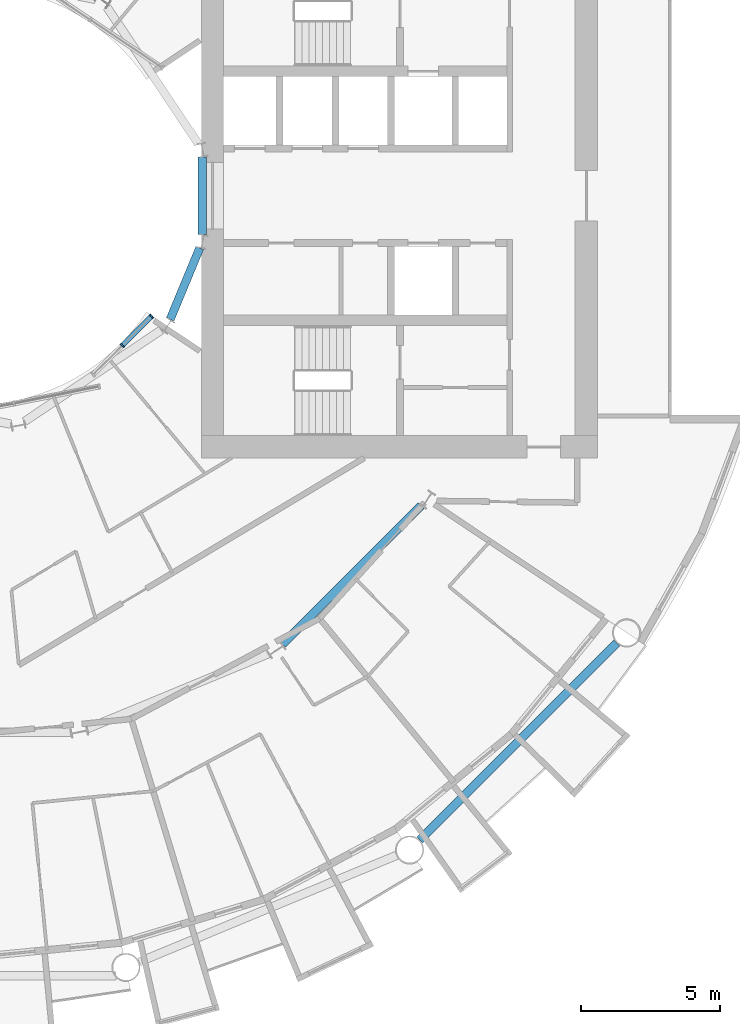
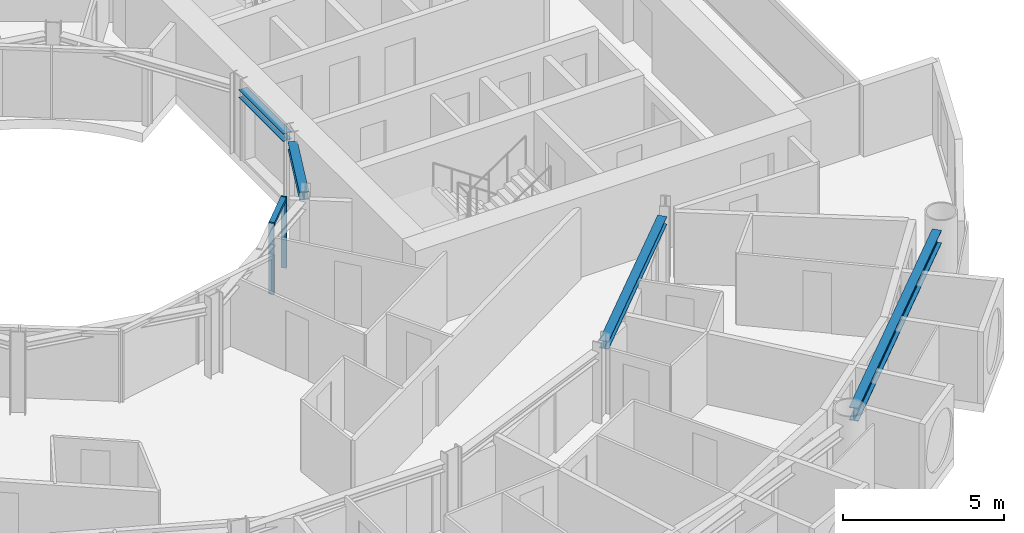
# One storey, part 6 of 26: 4 beams, 3 members, 1 element without a shape of its own.
"""IFC4 building model written with IfcOpenShell, lengths in metres."""

from ifc_helpers import new_model, si_unit, direction, frame, origin, origin_2d, place, context, subcontext, project, spatial, rectangle, i_section, extrude, material, layer, layer_set, material_profile, profile_set, type_object, element, aggregate, save


model = new_model("IFC4")

# Units and contexts
model_context = context("Model", 3, precision=1e-05, world=origin(), true_north=direction((0.0, 1.0)))
body_context = subcontext(model_context, "Body", "Model", "MODEL_VIEW")
ifc_project = project(units=[si_unit("LENGTHUNIT", "METRE"), si_unit("AREAUNIT", "SQUARE_METRE"), si_unit("VOLUMEUNIT", "CUBIC_METRE"), si_unit("PLANEANGLEUNIT", "RADIAN"), si_unit("MASSUNIT", "GRAM", prefix="KILO")], contexts=[model_context])

# Site, building, storey
site_placement = place(None, origin())
site = spatial("IfcSite", under=ifc_project, at=site_placement, CompositionType="ELEMENT")
building_placement = place(site_placement, origin())
building = spatial("IfcBuilding", under=site, at=building_placement, Name="Maasbend Ring Residences", CompositionType="ELEMENT")
storey_placement = place(building_placement, frame((0.0, 0.0, 47.199951171875)))
storey = spatial("IfcBuildingStorey", under=building, at=storey_placement, Name="L13", CompositionType="ELEMENT", Elevation=47.199951171875)

# Curtain wall, members
ifc_material_1 = material(Name="Aluminium and clear glass", Category="aluminium")
ifc_layer = layer(ifc_material_1, 0.179931640625)
ifc_layer_set = layer_set([ifc_layer], Name="CW-W")
curtain_wall_type = type_object("IfcCurtainWallType", Name="CW-W", PredefinedType="NOTDEFINED", material=ifc_layer_set)
curtain_wall_placement = place(storey_placement, origin())
curtain_wall = element("IfcCurtainWall", 1, at=curtain_wall_placement, inside=storey, type_object=curtain_wall_type, Name="Well curtain wall S3", PredefinedType="NOTDEFINED")
ifc_material_2 = material(Name="Aluminium 6063-T6", Category="aluminium")
ifc_material_profile_1 = material_profile(ifc_material_2, rectangle(XDim=0.179931640625, YDim=0.06005859375, at=origin_2d()), Name="AL 180x60")
ifc_profile_set_1 = profile_set([ifc_material_profile_1], Name="Aluminium 6063-T6")
member_type_1 = type_object("IfcMemberType", Name="CWM-W", PredefinedType="MULLION", material=ifc_profile_set_1)
member_1_placement = place(storey_placement, frame((5.366943359375, -5.366943359375, 0.0), z_axis=(0.0, 0.0, 1.0), x_axis=(-0.707106781187, 0.707106781187, 0.0)))
member_1 = element("IfcMember", 2, at=member_1_placement, type_object=member_type_1, Name="Mullion well face", PredefinedType="MULLION", context=body_context, shape_type="SweptSolid", body=[
    extrude(rectangle(XDim=0.179931640625, YDim=0.06005859375, at=origin_2d()), origin(), (0.0, 0.0, 1.0), 2.699951171875),
])
member_2_placement = place(storey_placement, frame((6.413330078125, -4.320556640625, 0.0), z_axis=(0.0, 0.0, 1.0), x_axis=(-0.707106781187, 0.707106781187, 0.0)))
member_2 = element("IfcMember", 3, at=member_2_placement, type_object=member_type_1, Name="Mullion well face", PredefinedType="MULLION", context=body_context, shape_type="SweptSolid", body=[
    extrude(rectangle(XDim=0.179931640625, YDim=0.06005859375, at=origin_2d()), origin(), (0.0, 0.0, 1.0), 2.699951171875),
])
ifc_material_3 = material(Name="Aluminium 6063-T6", Category="aluminium")
ifc_material_profile_2 = material_profile(ifc_material_3, rectangle(XDim=0.179931640625, YDim=0.1201171875, at=origin_2d()), Name="AL 180x120")
ifc_profile_set_2 = profile_set([ifc_material_profile_2], Name="Aluminium 6063-T6")
member_type_2 = type_object("IfcMemberType", Name="CWT-W", PredefinedType="USERDEFINED", material=ifc_profile_set_2)
member_3_placement = place(storey_placement, frame((5.38818359375, -5.345703125, 2.64013671875), z_axis=(0.707106781187, 0.707106781187, 0.0), x_axis=(-0.707106781187, 0.707106781187, 0.0)))
member_3 = element("IfcMember", 4, at=member_3_placement, type_object=member_type_2, Name="Transom well face", ObjectType="TRANSOM", PredefinedType="USERDEFINED", context=body_context, shape_type="SweptSolid", body=[
    extrude(rectangle(XDim=0.179931640625, YDim=0.1201171875, at=origin_2d()), origin(), (0.0, 0.0, 1.0), 1.419677734375),
])
aggregate(curtain_wall, [member_1, member_2, member_3])

# Beams
ifc_material_4 = material(Name="Steel S355J2", Category="steel")
ifc_material_profile_3 = material_profile(ifc_material_4, i_section(OverallWidth=0.300048828125, OverallDepth=0.300048828125, WebThickness=0.010986328125, FlangeThickness=0.01904296875, FilletRadius=0.027099609375, at=origin_2d()), Name="HEB 300")
ifc_profile_set_3 = profile_set([ifc_material_profile_3], Name="Steel S355J2")
beam_type_1 = type_object("IfcBeamType", Name="Corridor ring beam HEB 300", PredefinedType="BEAM", material=ifc_profile_set_3)
beam_1_placement = place(storey_placement, frame((11.11279296875, -16.0732421875, 2.550048828125), z_axis=(0.707106781187, 0.707106781187, 0.0), x_axis=(-0.707106781187, 0.707106781187, 0.0)))
element("IfcBeam", 5, at=beam_1_placement, inside=storey, type_object=beam_type_1, Name="Corridor ring beam", PredefinedType="BEAM", context=body_context, shape_type="SweptSolid", body=[
    extrude(i_section(OverallWidth=0.300048828125, OverallDepth=0.300048828125, WebThickness=0.010986328125, FlangeThickness=0.01904296875, FilletRadius=0.027099609375, at=origin_2d()), origin(), (0.0, 0.0, 1.0), 7.01513671875),
])
ifc_material_5 = material(Name="Steel S355J2", Category="steel")
ifc_material_profile_4 = material_profile(ifc_material_5, i_section(OverallWidth=0.300048828125, OverallDepth=0.5, WebThickness=0.014404296875, FlangeThickness=0.028076171875, FilletRadius=0.027099609375, at=origin_2d()), Name="HEB 500")
ifc_profile_set_4 = profile_set([ifc_material_profile_4], Name="Steel S355J2")
beam_type_2 = type_object("IfcBeamType", Name="Spandrel ring beam HEB 500", PredefinedType="SPANDREL", material=ifc_profile_set_4)
beam_2_placement = place(storey_placement, frame((16.0263671875, -23.088134765625, 2.449951171875), z_axis=(0.707106781187, 0.707106781187, 0.0), x_axis=(-0.707106781187, 0.707106781187, 0.0)))
element("IfcBeam", 6, at=beam_2_placement, inside=storey, type_object=beam_type_2, Name="Spandrel ring beam", PredefinedType="SPANDREL", context=body_context, shape_type="SweptSolid", body=[
    extrude(i_section(OverallWidth=0.300048828125, OverallDepth=0.5, WebThickness=0.014404296875, FlangeThickness=0.028076171875, FilletRadius=0.027099609375, at=origin_2d()), origin(), (0.0, 0.0, 1.0), 9.98681640625),
])
ifc_material_6 = material(Name="Steel S355J2", Category="steel")
ifc_material_profile_5 = material_profile(ifc_material_6, i_section(OverallWidth=0.300048828125, OverallDepth=0.300048828125, WebThickness=0.010986328125, FlangeThickness=0.01904296875, FilletRadius=0.027099609375, at=origin_2d()), Name="HEB 300")
ifc_profile_set_5 = profile_set([ifc_material_profile_5], Name="Steel S355J2")
beam_type_3 = type_object("IfcBeamType", Name="Well edge beam HEB 300", PredefinedType="BEAM", material=ifc_profile_set_5)
beam_3_placement = place(storey_placement, frame((7.081787109375, -4.431396484375, 2.550048828125), z_axis=(0.382723119906, 0.923863092395, 0.0), x_axis=(-0.923863092395, 0.382723119906, 0.0)))
element("IfcBeam", 7, at=beam_3_placement, inside=storey, type_object=beam_type_3, Name="Well edge beam", PredefinedType="BEAM", context=body_context, shape_type="SweptSolid", body=[
    extrude(i_section(OverallWidth=0.300048828125, OverallDepth=0.300048828125, WebThickness=0.010986328125, FlangeThickness=0.01904296875, FilletRadius=0.027099609375, at=origin_2d()), origin(), (0.0, 0.0, 1.0), 2.767822265625),
])
beam_4_placement = place(storey_placement, frame((8.238525390625, -1.3837890625, 2.550048828125), z_axis=(0.0, 1.0, 0.0), x_axis=(-1.0, 0.0, 0.0)))
element("IfcBeam", 8, at=beam_4_placement, inside=storey, type_object=beam_type_3, Name="Well edge beam", PredefinedType="BEAM", context=body_context, shape_type="SweptSolid", body=[
    extrude(i_section(OverallWidth=0.300048828125, OverallDepth=0.300048828125, WebThickness=0.010986328125, FlangeThickness=0.01904296875, FilletRadius=0.027099609375, at=origin_2d()), origin(), (0.0, 0.0, 1.0), 2.767578125),
])

save(model, "model.ifc")
